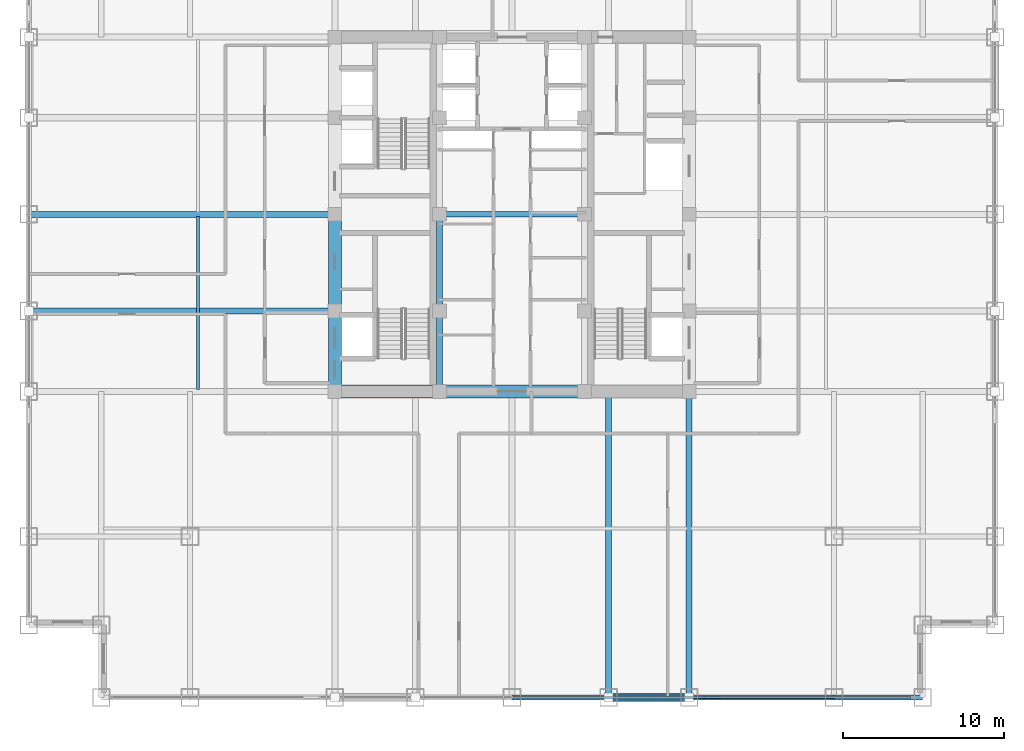
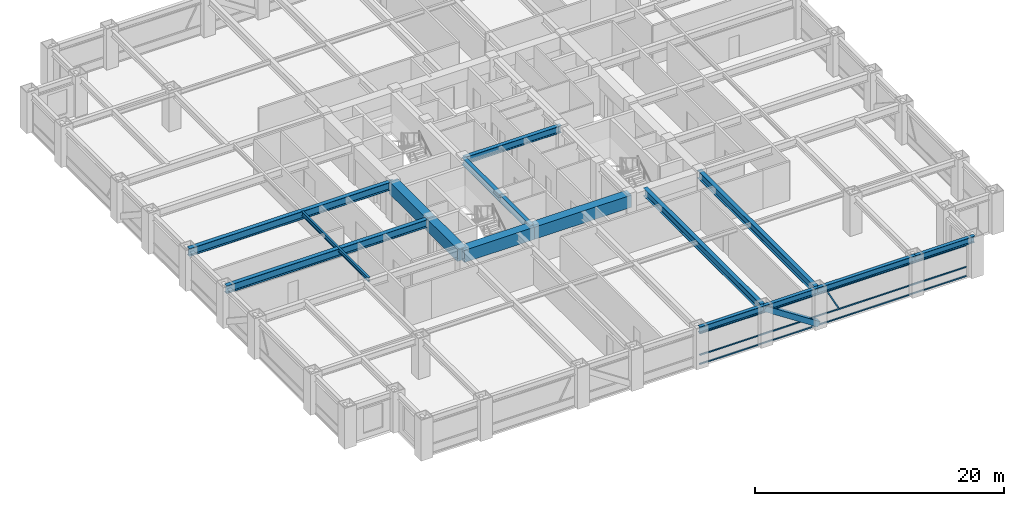
# One storey, part 7 of 24: 16 beams, 5 members, 1 element without a shape of its own.
"""IFC4 building model written with IfcOpenShell, lengths in metres."""

from ifc_helpers import new_model, si_unit, direction, frame, origin, origin_2d, place, context, subcontext, project, spatial, rectangle, hollow_rectangle, i_section, extrude, source, transform, mapped, material, material_profile, profile_set, type_object, element, aggregate, save


model = new_model("IFC4")

# Units and contexts
model_context = context("Model", 3, precision=1e-05, world=origin(), true_north=direction((0.0, 1.0)))
body_context = subcontext(model_context, "Body", "Model", "MODEL_VIEW")
ifc_project = project(units=[si_unit("LENGTHUNIT", "METRE"), si_unit("AREAUNIT", "SQUARE_METRE"), si_unit("VOLUMEUNIT", "CUBIC_METRE"), si_unit("PLANEANGLEUNIT", "RADIAN"), si_unit("MASSUNIT", "GRAM", prefix="KILO")], contexts=[model_context])

# Site, building, storey
site_placement = place(None, origin())
site = spatial("IfcSite", under=ifc_project, at=site_placement, CompositionType="ELEMENT")
building_placement = place(site_placement, origin())
building = spatial("IfcBuilding", under=site, at=building_placement, Name="Khorayat Bourse Tower", CompositionType="ELEMENT")
storey_placement = place(building_placement, frame((0.0, 0.0, 159.10009765625)))
storey = spatial("IfcBuildingStorey", under=building, at=storey_placement, Name="L36", CompositionType="ELEMENT", Elevation=159.10009765625)

# Beams
ifc_material_1 = material(Name="Concrete C72/90", Category="concrete")
ifc_material_profile_1 = material_profile(ifc_material_1, rectangle(XDim=0.800048828125, YDim=1.199951171875, at=origin_2d()), Name="RC 800x1200")
ifc_profile_set_1 = profile_set([ifc_material_profile_1], Name="Concrete C72/90")
beam_type_1 = type_object("IfcBeamType", Name="BM-COUP-1200", PredefinedType="BEAM", material=ifc_profile_set_1)
shared_shape_1 = source(origin(), body_context, "Body", "SweptSolid", [
    extrude(rectangle(XDim=0.800048828125, YDim=1.199951171875, at=origin_2d()), origin(), (0.0, 0.0, 1.0), 5.0),
])
beam_1_placement = place(storey_placement, frame((-11.0, -11.0, 3.179931640625), z_axis=(0.0, 1.0, 0.0), x_axis=(-1.0, 0.0, 0.0)))
element("IfcBeam", 1, at=beam_1_placement, inside=storey, type_object=beam_type_1, Name="L36 BM-COUP-1200 BM-L36-CRX-01", PredefinedType="BEAM", context=body_context, shape_type="MappedRepresentation", body=[
    mapped(shared_shape_1, transform((0.0, 0.0, 0.0), scale=1.0)),
])
shared_shape_2 = source(origin(), body_context, "Body", "SweptSolid", [
    extrude(rectangle(XDim=0.800048828125, YDim=1.199951171875, at=origin_2d()), origin(), (0.0, 0.0, 1.0), 6.0),
])
beam_2_placement = place(storey_placement, frame((-11.0, -6.0, 3.179931640625), z_axis=(0.0, 1.0, 0.0), x_axis=(-1.0, 0.0, 0.0)))
element("IfcBeam", 2, at=beam_2_placement, inside=storey, type_object=beam_type_1, Name="L36 BM-COUP-1200 BM-L36-CRX-02", PredefinedType="BEAM", context=body_context, shape_type="MappedRepresentation", body=[
    mapped(shared_shape_2, transform((0.0, 0.0, 0.0), scale=1.0)),
])
ifc_material_2 = material(Name="Steel ASTM A992 Grade 50", Category="steel")
ifc_material_profile_2 = material_profile(ifc_material_2, i_section(OverallWidth=0.35498046875, OverallDepth=0.695068359375, WebThickness=0.015380859375, FlangeThickness=0.02490234375, FilletRadius=0.01806640625, at=origin_2d()), Name="W690X217")
ifc_profile_set_2 = profile_set([ifc_material_profile_2], Name="Steel ASTM A992 Grade 50")
beam_type_2 = type_object("IfcBeamType", Name="BM-GIRD-690", PredefinedType="BEAM", material=ifc_profile_set_2)
shared_shape_3 = source(origin(), body_context, "Body", "SweptSolid", [
    extrude(i_section(OverallWidth=0.35498046875, OverallDepth=0.695068359375, WebThickness=0.015380859375, FlangeThickness=0.02490234375, FilletRadius=0.01806640625, at=origin_2d()), origin(), (0.0, 0.0, 1.0), 5.0),
])
beam_3_placement = place(storey_placement, frame((-4.5, -11.0, 3.432373046875), z_axis=(0.0, 1.0, 0.0), x_axis=(-1.0, 0.0, 0.0)))
element("IfcBeam", 3, at=beam_3_placement, inside=storey, type_object=beam_type_2, Name="L36 BM-GIRD-690 BM-L36-CRX-05", PredefinedType="BEAM", context=body_context, shape_type="MappedRepresentation", body=[
    mapped(shared_shape_3, transform((0.0, 0.0, 0.0), scale=1.0)),
])
shared_shape_4 = source(origin(), body_context, "Body", "SweptSolid", [
    extrude(i_section(OverallWidth=0.35498046875, OverallDepth=0.695068359375, WebThickness=0.015380859375, FlangeThickness=0.02490234375, FilletRadius=0.01806640625, at=origin_2d()), origin(), (0.0, 0.0, 1.0), 6.0),
])
beam_4_placement = place(storey_placement, frame((-4.5, -6.0, 3.432373046875), z_axis=(0.0, 1.0, 0.0), x_axis=(-1.0, 0.0, 0.0)))
element("IfcBeam", 4, at=beam_4_placement, inside=storey, type_object=beam_type_2, Name="L36 BM-GIRD-690 BM-L36-CRX-06", PredefinedType="BEAM", context=body_context, shape_type="MappedRepresentation", body=[
    mapped(shared_shape_4, transform((0.0, 0.0, 0.0), scale=1.0)),
])
shared_shape_5 = source(origin(), body_context, "Body", "SweptSolid", [
    extrude(rectangle(XDim=0.800048828125, YDim=1.199951171875, at=origin_2d()), origin(), (0.0, 0.0, 1.0), 6.5),
])
beam_5_placement = place(storey_placement, frame((-11.0, -11.0, 3.179931640625), z_axis=(1.0, 0.0, 0.0), x_axis=(0.0, 1.0, 0.0)))
element("IfcBeam", 5, at=beam_5_placement, inside=storey, type_object=beam_type_1, Name="L36 BM-COUP-1200 BM-L36-CRY-17", PredefinedType="BEAM", context=body_context, shape_type="MappedRepresentation", body=[
    mapped(shared_shape_5, transform((0.0, 0.0, 0.0), scale=1.0)),
])
shared_shape_6 = source(origin(), body_context, "Body", "SweptSolid", [
    extrude(rectangle(XDim=0.800048828125, YDim=1.199951171875, at=origin_2d()), origin(), (0.0, 0.0, 1.0), 9.0),
])
beam_6_placement = place(storey_placement, frame((-4.5, -11.0, 3.179931640625), z_axis=(1.0, 0.0, 0.0), x_axis=(0.0, 1.0, 0.0)))
element("IfcBeam", 6, at=beam_6_placement, inside=storey, type_object=beam_type_1, Name="L36 BM-COUP-1200 BM-L36-CRY-18", PredefinedType="BEAM", context=body_context, shape_type="MappedRepresentation", body=[
    mapped(shared_shape_6, transform((0.0, 0.0, 0.0), scale=1.0)),
])
shared_shape_7 = source(origin(), body_context, "Body", "SweptSolid", [
    extrude(i_section(OverallWidth=0.35498046875, OverallDepth=0.695068359375, WebThickness=0.015380859375, FlangeThickness=0.02490234375, FilletRadius=0.01806640625, at=origin_2d()), origin(), (0.0, 0.0, 1.0), 9.0),
])
beam_7_placement = place(storey_placement, frame((-4.5, 0.0, 3.432373046875), z_axis=(1.0, 0.0, 0.0), x_axis=(0.0, 1.0, 0.0)))
element("IfcBeam", 7, at=beam_7_placement, inside=storey, type_object=beam_type_2, Name="L36 BM-GIRD-690 BM-L36-CRY-23", PredefinedType="BEAM", context=body_context, shape_type="MappedRepresentation", body=[
    mapped(shared_shape_7, transform((0.0, 0.0, 0.0), scale=1.0)),
])
ifc_material_profile_3 = material_profile(ifc_material_2, i_section(OverallWidth=0.381103515625, OverallDepth=0.77294921875, WebThickness=0.0166015625, FlangeThickness=0.027587890625, FilletRadius=0.01806640625, at=origin_2d()), Name="W760X257")
ifc_profile_set_3 = profile_set([ifc_material_profile_3], Name="Steel ASTM A992 Grade 50")
beam_type_3 = type_object("IfcBeamType", Name="BM-GIRD-760", PredefinedType="BEAM", material=ifc_profile_set_3)
shared_shape_8 = source(origin(), body_context, "Body", "SweptSolid", [
    extrude(i_section(OverallWidth=0.381103515625, OverallDepth=0.77294921875, WebThickness=0.0166015625, FlangeThickness=0.027587890625, FilletRadius=0.01806640625, at=origin_2d()), origin(), (0.0, 0.0, 1.0), 19.0),
])
for number, where, z_axis, x_axis, name in (
    (8, (6.0, -30.0, 3.393310546875), (0.0, 1.0, 0.0), (-1.0, 0.0, 0.0), "L36 BM-GIRD-760 BM-L36-RADY-071"),
    (9, (11.0, -30.0, 3.393310546875), (0.0, 1.0, 0.0), (-1.0, 0.0, 0.0), "L36 BM-GIRD-760 BM-L36-RADY-073"),
    (10, (-30.0, -6.0, 3.393310546875), (1.0, 0.0, 0.0), (0.0, 1.0, 0.0), "L36 BM-GIRD-760 BM-L36-RADX-077"),
    (11, (-30.0, 0.0, 3.393310546875), (1.0, 0.0, 0.0), (0.0, 1.0, 0.0), "L36 BM-GIRD-760 BM-L36-RADX-079"),
):
    element("IfcBeam", number, at=place(storey_placement, frame(where, z_axis=z_axis, x_axis=x_axis)), inside=storey, type_object=beam_type_3, Name=name, PredefinedType="BEAM", context=body_context, shape_type="MappedRepresentation", body=[
        mapped(shared_shape_8, transform((0.0, 0.0, 0.0), scale=1.0)),
    ])
ifc_material_profile_4 = material_profile(ifc_material_2, i_section(OverallWidth=0.180908203125, OverallDepth=0.4169921875, WebThickness=0.010986328125, FlangeThickness=0.018310546875, FilletRadius=0.011962890625, at=origin_2d()), Name="W410X85")
ifc_profile_set_4 = profile_set([ifc_material_profile_4], Name="Steel ASTM A992 Grade 50")
beam_type_4 = type_object("IfcBeamType", Name="BM-JOIST-410", PredefinedType="JOIST", material=ifc_profile_set_4)
shared_shape_9 = source(origin(), body_context, "Body", "SweptSolid", [
    extrude(i_section(OverallWidth=0.180908203125, OverallDepth=0.4169921875, WebThickness=0.010986328125, FlangeThickness=0.018310546875, FilletRadius=0.011962890625, at=origin_2d()), origin(), (0.0, 0.0, 1.0), 10.740234375),
])
beam_8_placement = place(storey_placement, frame((-19.5, -10.8701171875, 3.5712890625), z_axis=(0.0, 1.0, 0.0), x_axis=(-1.0, 0.0, 0.0)))
element("IfcBeam", 12, at=beam_8_placement, inside=storey, type_object=beam_type_4, Name="L36 BM-JOIST-410 BM-L36-JSTY-102", PredefinedType="JOIST", context=body_context, shape_type="MappedRepresentation", body=[
    mapped(shared_shape_9, transform((0.0, 0.0, 0.0), scale=1.0)),
])
ifc_material_profile_5 = material_profile(ifc_material_2, i_section(OverallWidth=0.324951171875, OverallDepth=0.615966796875, WebThickness=0.013916015625, FlangeThickness=0.021484375, FilletRadius=0.01611328125, at=origin_2d()), Name="W610X174")
ifc_profile_set_5 = profile_set([ifc_material_profile_5], Name="Steel ASTM A992 Grade 50")
beam_type_5 = type_object("IfcBeamType", Name="BM-SPAN-610", PredefinedType="SPANDREL", material=ifc_profile_set_5)
shared_shape_10 = source(origin(), body_context, "Body", "SweptSolid", [
    extrude(i_section(OverallWidth=0.324951171875, OverallDepth=0.615966796875, WebThickness=0.013916015625, FlangeThickness=0.021484375, FilletRadius=0.01611328125, at=origin_2d()), origin(), (0.0, 0.0, 1.0), 5.5),
])
beam_9_placement = place(storey_placement, frame((20.0, -30.0, 3.471923828125), z_axis=(1.0, 0.0, 0.0), x_axis=(0.0, 1.0, 0.0)))
element("IfcBeam", 13, at=beam_9_placement, inside=storey, type_object=beam_type_5, Name="L36 BM-SPAN-610 BM-L36-SPN-031", PredefinedType="SPANDREL", context=body_context, shape_type="MappedRepresentation", body=[
    mapped(shared_shape_10, transform((0.0, 0.0, 0.0), scale=1.0)),
])
shared_shape_11 = source(origin(), body_context, "Body", "SweptSolid", [
    extrude(i_section(OverallWidth=0.324951171875, OverallDepth=0.615966796875, WebThickness=0.013916015625, FlangeThickness=0.021484375, FilletRadius=0.01611328125, at=origin_2d()), origin(), (0.0, 0.0, 1.0), 9.0),
])
beam_10_placement = place(storey_placement, frame((11.0, -30.0, 3.471923828125), z_axis=(1.0, 0.0, 0.0), x_axis=(0.0, 1.0, 0.0)))
element("IfcBeam", 14, at=beam_10_placement, inside=storey, type_object=beam_type_5, Name="L36 BM-SPAN-610 BM-L36-SPN-030", PredefinedType="SPANDREL", context=body_context, shape_type="MappedRepresentation", body=[
    mapped(shared_shape_11, transform((0.0, 0.0, 0.0), scale=1.0)),
])
shared_shape_12 = source(origin(), body_context, "Body", "SweptSolid", [
    extrude(i_section(OverallWidth=0.324951171875, OverallDepth=0.615966796875, WebThickness=0.013916015625, FlangeThickness=0.021484375, FilletRadius=0.01611328125, at=origin_2d()), origin(), (0.0, 0.0, 1.0), 5.0),
])
beam_11_placement = place(storey_placement, frame((6.0, -30.0, 3.471923828125), z_axis=(1.0, 0.0, 0.0), x_axis=(0.0, 1.0, 0.0)))
element("IfcBeam", 15, at=beam_11_placement, inside=storey, type_object=beam_type_5, Name="L36 BM-SPAN-610 BM-L36-SPN-029", PredefinedType="SPANDREL", context=body_context, shape_type="MappedRepresentation", body=[
    mapped(shared_shape_12, transform((0.0, 0.0, 0.0), scale=1.0)),
])
shared_shape_13 = source(origin(), body_context, "Body", "SweptSolid", [
    extrude(i_section(OverallWidth=0.324951171875, OverallDepth=0.615966796875, WebThickness=0.013916015625, FlangeThickness=0.021484375, FilletRadius=0.01611328125, at=origin_2d()), origin(), (0.0, 0.0, 1.0), 6.0),
])
beam_12_placement = place(storey_placement, frame((0.0, -30.0, 3.471923828125), z_axis=(1.0, 0.0, 0.0), x_axis=(0.0, 1.0, 0.0)))
element("IfcBeam", 16, at=beam_12_placement, inside=storey, type_object=beam_type_5, Name="L36 BM-SPAN-610 BM-L36-SPN-028", PredefinedType="SPANDREL", context=body_context, shape_type="MappedRepresentation", body=[
    mapped(shared_shape_13, transform((0.0, 0.0, 0.0), scale=1.0)),
])

# Member
ifc_material_3 = material(Name="Steel EN 10025-4 S460M", Category="steel")
ifc_material_profile_6 = material_profile(ifc_material_3, hollow_rectangle(XDim=0.5, YDim=0.5, WallThickness=0.028076171875, at=origin_2d()), Name="HSS 500x500x28")
ifc_profile_set_6 = profile_set([ifc_material_profile_6], Name="Steel EN 10025-4 S460M")
member_type_1 = type_object("IfcMemberType", Name="MBR-TUBE-500", PredefinedType="BRACE", material=ifc_profile_set_6)
shared_shape_14 = source(origin(), body_context, "Body", "SweptSolid", [
    extrude(hollow_rectangle(XDim=0.5, YDim=0.5, WallThickness=0.028076171875, at=origin_2d()), origin(), (0.0, 0.0, 1.0), 5.979736328125),
])
member_1_placement = place(storey_placement, frame((6.0, -30.0, 3.52978515625), z_axis=(0.836160261256, 0.0, -0.548485202623), x_axis=(0.0, 1.0, 0.0)))
element("IfcMember", 17, at=member_1_placement, inside=storey, type_object=member_type_1, Name="L36 Perimeter Tube Brace 02", PredefinedType="BRACE", context=body_context, shape_type="MappedRepresentation", body=[
    mapped(shared_shape_14, transform((0.0, 0.0, 0.0), scale=1.0)),
])

# Curtain wall, members
ifc_material_4 = material(Name="Aluminium EN AW-6063 T6", Category="aluminium")
curtain_wall_type = type_object("IfcCurtainWallType", Name="CW-SYS-03", PredefinedType="NOTDEFINED", material=ifc_material_4)
curtain_wall_placement = place(storey_placement, origin())
curtain_wall = element("IfcCurtainWall", 18, at=curtain_wall_placement, inside=storey, type_object=curtain_wall_type, Name="L36 Curtain Wall CW-L36-S1", PredefinedType="NOTDEFINED")
ifc_material_profile_7 = material_profile(ifc_material_4, hollow_rectangle(XDim=0.1201171875, YDim=0.1201171875, WallThickness=0.0048828125, at=origin_2d()), Name="ALU 120x120x5")
ifc_profile_set_7 = profile_set([ifc_material_profile_7], Name="Aluminium EN AW-6063 T6")
member_type_2 = type_object("IfcMemberType", Name="CWM-DIAG-120", PredefinedType="MULLION", material=ifc_profile_set_7)
shared_shape_15 = source(origin(), body_context, "Body", "SweptSolid", [
    extrude(hollow_rectangle(XDim=0.1201171875, YDim=0.1201171875, WallThickness=0.0048828125, at=origin_2d()), origin(), (0.0, 0.0, 1.0), 2.079345703125),
])
member_2_placement = place(storey_placement, frame((12.904296875, -30.0, 1.08984375), z_axis=(-0.465760949701, 0.0, 0.884910581773), x_axis=(0.0, -1.0, 0.0)))
member_2 = element("IfcMember", 19, at=member_2_placement, type_object=member_type_2, Name="CW-L36-S1 Faceted Diagonal Mullion 2", PredefinedType="MULLION", context=body_context, shape_type="MappedRepresentation", body=[
    mapped(shared_shape_15, transform((0.0, 0.0, 0.0), scale=1.0)),
])
ifc_material_profile_8 = material_profile(ifc_material_4, hollow_rectangle(XDim=0.1201171875, YDim=0.1201171875, WallThickness=0.0048828125, at=origin_2d()), Name="ALU 120x120x5")
ifc_profile_set_8 = profile_set([ifc_material_profile_8], Name="Aluminium EN AW-6063 T6")
member_type_3 = type_object("IfcMemberType", Name="CWT-HORZ-120", PredefinedType="USERDEFINED", material=ifc_profile_set_8)
shared_shape_16 = source(origin(), body_context, "Body", "SweptSolid", [
    extrude(hollow_rectangle(XDim=0.1201171875, YDim=0.1201171875, WallThickness=0.0048828125, at=origin_2d()), origin(), (0.0, 0.0, 1.0), 24.719970703125),
])
member_3_placement = place(storey_placement, frame((0.06005859375, -30.0, 0.059814453125), z_axis=(1.0, 0.0, 0.0), x_axis=(0.0, 1.0, 0.0)))
member_3 = element("IfcMember", 20, at=member_3_placement, type_object=member_type_3, Name="CW-L36-S1 Horizontal Transom 2-1", ObjectType="TRANSOM", PredefinedType="USERDEFINED", context=body_context, shape_type="MappedRepresentation", body=[
    mapped(shared_shape_16, transform((0.0, 0.0, 0.0), scale=1.0)),
])
member_4_placement = place(storey_placement, frame((0.06005859375, -30.0, 0.949951171875), z_axis=(1.0, 0.0, 0.0), x_axis=(0.0, 1.0, 0.0)))
member_4 = element("IfcMember", 21, at=member_4_placement, type_object=member_type_3, Name="CW-L36-S1 Horizontal Transom 2-2", ObjectType="TRANSOM", PredefinedType="USERDEFINED", context=body_context, shape_type="MappedRepresentation", body=[
    mapped(shared_shape_16, transform((0.0, 0.0, 0.0), scale=1.0)),
])
member_5_placement = place(storey_placement, frame((0.06005859375, -30.0, 3.06982421875), z_axis=(1.0, 0.0, 0.0), x_axis=(0.0, 1.0, 0.0)))
member_5 = element("IfcMember", 22, at=member_5_placement, type_object=member_type_3, Name="CW-L36-S1 Horizontal Transom 2-3", ObjectType="TRANSOM", PredefinedType="USERDEFINED", context=body_context, shape_type="MappedRepresentation", body=[
    mapped(shared_shape_16, transform((0.0, 0.0, 0.0), scale=1.0)),
])
aggregate(curtain_wall, [member_3, member_4, member_5, member_2])

save(model, "model.ifc")
